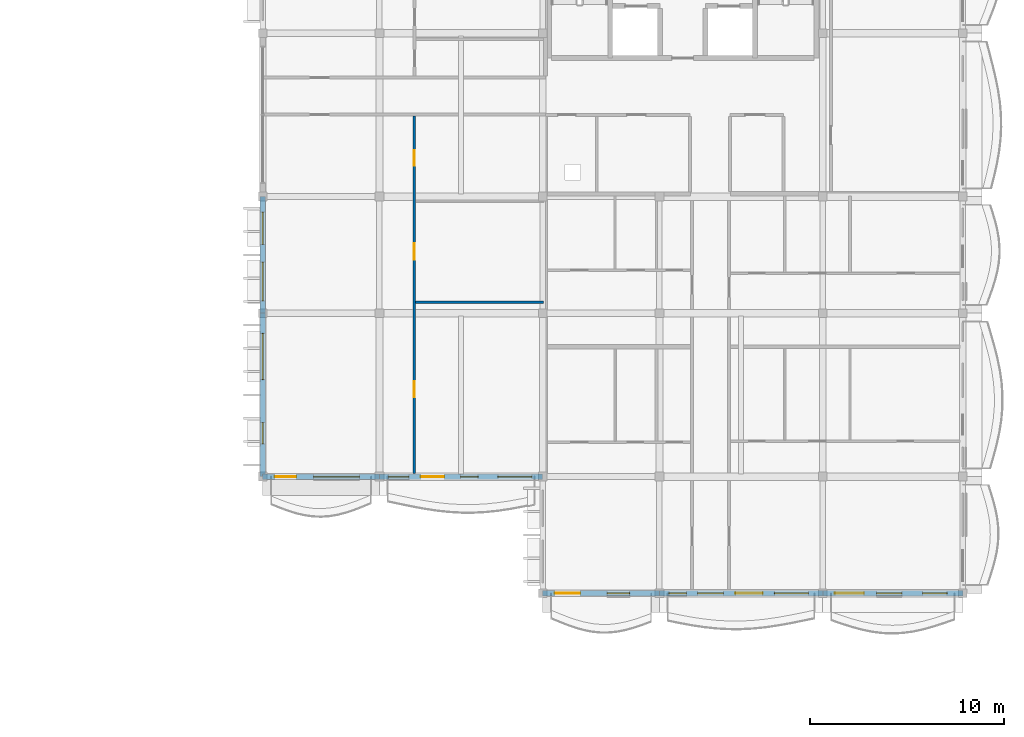
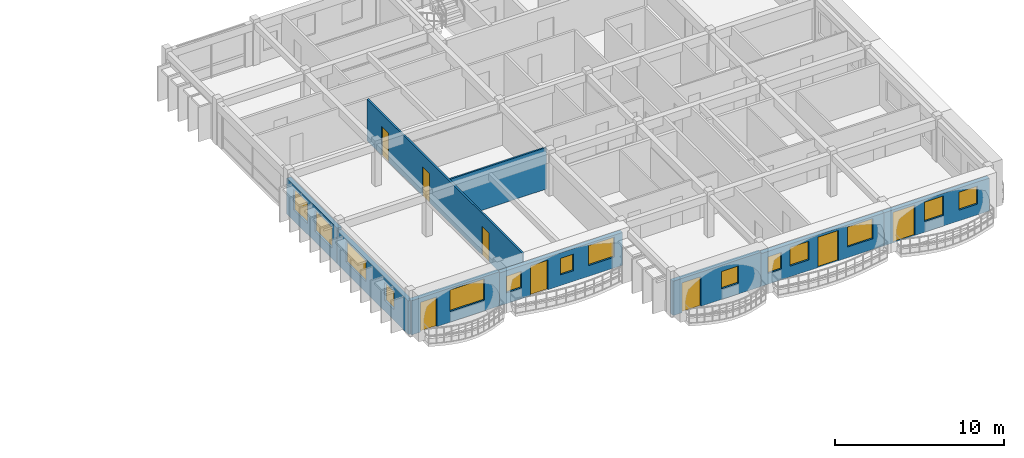
# One storey, part 39 of 76: 14 windows, 9 walls, 8 doors, 22 openings.
"""IFC4 building model written with IfcOpenShell, lengths in metres."""

from ifc_helpers import new_model, si_unit, direction, frame, frame_2d, origin, place, context, subcontext, project, spatial, rectangle, extrude, material, layer, layer_set, type_object, element, fill, save


model = new_model("IFC4")

# Units and contexts
model_context = context("Model", 3, precision=1e-05, world=origin(), true_north=direction((0.0, 1.0)))
body_context = subcontext(model_context, "Body", "Model", "MODEL_VIEW")
ifc_project = project(units=[si_unit("LENGTHUNIT", "METRE"), si_unit("AREAUNIT", "SQUARE_METRE"), si_unit("VOLUMEUNIT", "CUBIC_METRE"), si_unit("PLANEANGLEUNIT", "RADIAN"), si_unit("MASSUNIT", "GRAM", prefix="KILO"), si_unit("THERMODYNAMICTEMPERATUREUNIT", "KELVIN")], contexts=[model_context])

# Site, building, storey
site_placement = place(None, origin())
site = spatial("IfcSite", under=ifc_project, at=site_placement, CompositionType="ELEMENT")
building_placement = place(site_placement, origin())
building = spatial("IfcBuilding", under=site, at=building_placement, Name="Thalorik Housing Commons", CompositionType="ELEMENT")
storey_placement = place(building_placement, frame((0.0, 0.0, 18.0)))
storey = spatial("IfcBuildingStorey", under=building, at=storey_placement, Name="L05", CompositionType="ELEMENT", Elevation=18.0)

# Wall, openings, windows
ifc_material_1 = material(Name="White precast concrete C40/50", Category="concrete")
ifc_layer_1 = layer(ifc_material_1, 0.2900390625, Name="White precast concrete C40/50", Category="concrete")
ifc_layer_set_1 = layer_set([ifc_layer_1], Name="White precast concrete C40/50")
wall_type_1 = type_object("IfcWallType", Name="ARC-WAL-EXT-290", PredefinedType="STANDARD", material=ifc_layer_set_1)
wall_1_placement = place(storey_placement, frame((138.0, 57.60009765625, 0.0), z_axis=(0.0, 0.0, 1.0), x_axis=(0.0, -1.0, 0.0)))
wall_1 = element("IfcWall", 1, at=wall_1_placement, inside=storey, type_object=wall_type_1, Name="L05 Exterior Wall WAL-EXT-L05-D-1209", PredefinedType="STANDARD", context=body_context, shape_type="SweptSolid", body=[
    extrude(rectangle(XDim=6.0, YDim=0.2900390625, at=frame_2d((3.0, 0.0))), origin(), (0.0, 0.0, 1.0), 2.574951171875),
])
opening_1_placement = place(wall_1_placement, frame((0.804931640625, 0.0, 0.780029296875)))
opening_1 = element("IfcOpeningElement", 2, at=opening_1_placement, cuts=wall_1, Name="Opening W-15", PredefinedType="OPENING", context=body_context, shape_type="SweptSolid", body=[
    extrude(rectangle(XDim=1.64990234375, YDim=1.5, at=frame_2d((0.824951171875, 0.75))), frame((0.0, 0.155029296875, 0.0), z_axis=(0.0, -1.0, 0.0), x_axis=(1.0, 0.0, 0.0)), (0.0, 0.0, 1.0), 0.31005859375),
])
opening_2_placement = place(wall_1_placement, frame((3.3701171875, 0.0, 0.780029296875)))
opening_2 = element("IfcOpeningElement", 3, at=opening_2_placement, cuts=wall_1, Name="Opening W-23", PredefinedType="OPENING", context=body_context, shape_type="SweptSolid", body=[
    extrude(rectangle(XDim=2.0, YDim=1.5, at=frame_2d((1.0, 0.75))), frame((0.0, 0.155029296875, 0.0), z_axis=(0.0, -1.0, 0.0), x_axis=(1.0, 0.0, 0.0)), (0.0, 0.0, 1.0), 0.31005859375),
])
ifc_material_2 = material(Name="Anodised aluminium and solar-control low-E glass", Category="aluminium")
window_type_1 = type_object("IfcWindowType", Name="ARC-WIN-15", PartitioningType="DOUBLE_PANEL_VERTICAL", PredefinedType="WINDOW", material=ifc_material_2)
window_1_placement = place(opening_1_placement, origin())
window_1 = element("IfcWindow", 4, at=window_1_placement, inside=storey, type_object=window_type_1, Name="L05 Facade Window 2206", OverallHeight=1.5, OverallWidth=1.64990234375, PartitioningType="DOUBLE_PANEL_VERTICAL", PredefinedType="WINDOW", context=body_context, shape_type="SweptSolid", body=[
    extrude(rectangle(XDim=1.64990234375, YDim=1.5, at=frame_2d((0.824951171875, 0.75))), frame((0.0, 0.030029296875, 0.0), z_axis=(0.0, -1.0, 0.0), x_axis=(1.0, 0.0, 0.0)), (0.0, 0.0, 1.0), 0.06005859375),
])
fill(opening_1, window_1)
window_type_2 = type_object("IfcWindowType", Name="ARC-WIN-23", PartitioningType="DOUBLE_PANEL_VERTICAL", PredefinedType="WINDOW", material=ifc_material_2)
window_2_placement = place(opening_2_placement, origin())
window_2 = element("IfcWindow", 5, at=window_2_placement, inside=storey, type_object=window_type_2, Name="L05 Facade Window 2207", OverallHeight=1.5, OverallWidth=2.0, PartitioningType="DOUBLE_PANEL_VERTICAL", PredefinedType="WINDOW", context=body_context, shape_type="SweptSolid", body=[
    extrude(rectangle(XDim=2.0, YDim=1.5, at=frame_2d((1.0, 0.75))), frame((0.0, 0.030029296875, 0.0), z_axis=(0.0, -1.0, 0.0), x_axis=(1.0, 0.0, 0.0)), (0.0, 0.0, 1.0), 0.06005859375),
])
fill(opening_2, window_2)

wall_2_placement = place(storey_placement, frame((138.0, 51.60009765625, 0.0), z_axis=(0.0, 0.0, 1.0), x_axis=(0.0, -1.0, 0.0)))
wall_2 = element("IfcWall", 6, at=wall_2_placement, inside=storey, type_object=wall_type_1, Name="L05 Exterior Wall WAL-EXT-L05-D-1210", PredefinedType="STANDARD", context=body_context, shape_type="SweptSolid", body=[
    extrude(rectangle(XDim=8.400146484375, YDim=0.2900390625, at=frame_2d((4.2001953125, 0.0))), origin(), (0.0, 0.0, 1.0), 2.425048828125),
])
opening_3_placement = place(wall_2_placement, frame((1.0400390625, 0.0, 0.780029296875)))
opening_3 = element("IfcOpeningElement", 7, at=opening_3_placement, cuts=wall_2, Name="Opening W-69", PredefinedType="OPENING", context=body_context, shape_type="SweptSolid", body=[
    extrude(rectangle(XDim=2.3798828125, YDim=1.47998046875, at=frame_2d((1.18994140625, 0.739990234375))), frame((0.0, 0.155029296875, 0.0), z_axis=(0.0, -1.0, 0.0), x_axis=(1.0, 0.0, 0.0)), (0.0, 0.0, 1.0), 0.31005859375),
])
opening_4_placement = place(wall_2_placement, frame((5.6201171875, 0.0, 0.780029296875)))
opening_4 = element("IfcOpeningElement", 8, at=opening_4_placement, cuts=wall_2, Name="Opening W-03", PredefinedType="OPENING", context=body_context, shape_type="SweptSolid", body=[
    extrude(rectangle(XDim=1.10009765625, YDim=1.300048828125, at=frame_2d((0.550048828125, 0.64990234375))), frame((0.0, 0.155029296875, 0.0), z_axis=(0.0, -1.0, 0.0), x_axis=(1.0, 0.0, 0.0)), (0.0, 0.0, 1.0), 0.31005859375),
])
window_type_3 = type_object("IfcWindowType", Name="ARC-WIN-03", PartitioningType="SINGLE_PANEL", PredefinedType="WINDOW", material=ifc_material_2)
window_3_placement = place(opening_4_placement, origin())
window_3 = element("IfcWindow", 9, at=window_3_placement, inside=storey, type_object=window_type_3, Name="L05 Facade Window 2209", OverallHeight=1.300048828125, OverallWidth=1.10009765625, PartitioningType="SINGLE_PANEL", PredefinedType="WINDOW", context=body_context, shape_type="SweptSolid", body=[
    extrude(rectangle(XDim=1.10009765625, YDim=1.300048828125, at=frame_2d((0.550048828125, 0.64990234375))), frame((0.0, 0.030029296875, 0.0), z_axis=(0.0, -1.0, 0.0), x_axis=(1.0, 0.0, 0.0)), (0.0, 0.0, 1.0), 0.06005859375),
])
fill(opening_4, window_3)
window_type_4 = type_object("IfcWindowType", Name="ARC-WIN-69", PartitioningType="DOUBLE_PANEL_VERTICAL", PredefinedType="WINDOW", material=ifc_material_2)
window_4_placement = place(opening_3_placement, origin())
window_4 = element("IfcWindow", 10, at=window_4_placement, inside=storey, type_object=window_type_4, Name="L05 Facade Window 2208", OverallHeight=1.47998046875, OverallWidth=2.3798828125, PartitioningType="DOUBLE_PANEL_VERTICAL", PredefinedType="WINDOW", context=body_context, shape_type="SweptSolid", body=[
    extrude(rectangle(XDim=2.3798828125, YDim=1.47998046875, at=frame_2d((1.18994140625, 0.739990234375))), frame((0.0, 0.030029296875, 0.0), z_axis=(0.0, -1.0, 0.0), x_axis=(1.0, 0.0, 0.0)), (0.0, 0.0, 1.0), 0.06005859375),
])
fill(opening_3, window_4)

# Wall, openings, door, window
wall_3_placement = place(storey_placement, frame((138.0, 43.199951171875, 0.0), z_axis=(0.0, 0.0, 1.0), x_axis=(1.0, 0.0, 0.0)))
wall_3 = element("IfcWall", 11, at=wall_3_placement, inside=storey, type_object=wall_type_1, Name="L05 Exterior Wall WAL-EXT-L05-D-1211", PredefinedType="STANDARD", context=body_context, shape_type="SweptSolid", body=[
    extrude(rectangle(XDim=6.0, YDim=0.2900390625, at=frame_2d((3.0, 0.0))), origin(), (0.0, 0.0, 1.0), 2.47509765625),
])
opening_5_placement = place(wall_3_placement, frame((0.6201171875, 0.0, 0.0)))
opening_5 = element("IfcOpeningElement", 12, at=opening_5_placement, cuts=wall_3, Name="Opening ED-0406", PredefinedType="OPENING", context=body_context, shape_type="SweptSolid", body=[
    extrude(rectangle(XDim=1.10009765625, YDim=2.14990234375, at=frame_2d((0.550048828125, 1.074951171875))), frame((0.0, 0.155029296875, 0.0), z_axis=(0.0, -1.0, 0.0), x_axis=(1.0, 0.0, 0.0)), (0.0, 0.0, 1.0), 0.31005859375),
])
opening_6_placement = place(wall_3_placement, frame((2.614990234375, 0.0, 0.780029296875)))
opening_6 = element("IfcOpeningElement", 13, at=opening_6_placement, cuts=wall_3, Name="Opening W-33", PredefinedType="OPENING", context=body_context, shape_type="SweptSolid", body=[
    extrude(rectangle(XDim=2.35009765625, YDim=1.550048828125, at=frame_2d((1.175048828125, 0.77490234375))), frame((0.0, 0.155029296875, 0.0), z_axis=(0.0, -1.0, 0.0), x_axis=(1.0, 0.0, 0.0)), (0.0, 0.0, 1.0), 0.31005859375),
])
ifc_material_3 = material(Name="Anodised aluminium and laminated safety glass", Category="aluminium")
door_type_1 = type_object("IfcDoorType", Name="ARC-DR-BAL-1100", OperationType="NOTDEFINED", PredefinedType="DOOR", material=ifc_material_3)
door_1_placement = place(opening_5_placement, frame((1.10009765625, 0.0, 0.0), z_axis=(0.0, 0.0, 1.0), x_axis=(-1.0, 0.0, 0.0)))
door_1 = element("IfcDoor", 14, at=door_1_placement, inside=storey, type_object=door_type_1, Name="L05 Block D Balcony Glazed Door", OperationType="SINGLE_SWING_LEFT", OverallHeight=2.14990234375, OverallWidth=1.10009765625, PredefinedType="DOOR", context=body_context, shape_type="SweptSolid", body=[
    extrude(rectangle(XDim=1.10009765625, YDim=2.14990234375, at=frame_2d((0.550048828125, 1.074951171875))), frame((0.0, 0.02490234375, 0.0), z_axis=(0.0, -1.0, 0.0), x_axis=(1.0, 0.0, 0.0)), (0.0, 0.0, 1.0), 0.050048828125),
])
fill(opening_5, door_1)
window_type_5 = type_object("IfcWindowType", Name="ARC-WIN-33", PartitioningType="DOUBLE_PANEL_VERTICAL", PredefinedType="WINDOW", material=ifc_material_2)
window_5_placement = place(opening_6_placement, origin())
window_5 = element("IfcWindow", 15, at=window_5_placement, inside=storey, type_object=window_type_5, Name="L05 Facade Window 2210", OverallHeight=1.550048828125, OverallWidth=2.35009765625, PartitioningType="DOUBLE_PANEL_VERTICAL", PredefinedType="WINDOW", context=body_context, shape_type="SweptSolid", body=[
    extrude(rectangle(XDim=2.35009765625, YDim=1.550048828125, at=frame_2d((1.175048828125, 0.77490234375))), frame((0.0, 0.030029296875, 0.0), z_axis=(0.0, -1.0, 0.0), x_axis=(1.0, 0.0, 0.0)), (0.0, 0.0, 1.0), 0.06005859375),
])
fill(opening_6, window_5)

# Wall, openings, door, windows
wall_4_placement = place(storey_placement, frame((144.0, 43.199951171875, 0.0), z_axis=(0.0, 0.0, 1.0), x_axis=(1.0, 0.0, 0.0)))
wall_4 = element("IfcWall", 16, at=wall_4_placement, inside=storey, type_object=wall_type_1, Name="L05 Exterior Wall WAL-EXT-L05-D-1212", PredefinedType="STANDARD", context=body_context, shape_type="SweptSolid", body=[
    extrude(rectangle(XDim=8.39990234375, YDim=0.2900390625, at=frame_2d((4.199951171875, 0.0))), origin(), (0.0, 0.0, 1.0), 2.375),
])
opening_7_placement = place(wall_4_placement, frame((2.1298828125, 0.0, 0.0)))
opening_7 = element("IfcOpeningElement", 17, at=opening_7_placement, cuts=wall_4, Name="Opening ED-0407", PredefinedType="OPENING", context=body_context, shape_type="SweptSolid", body=[
    extrude(rectangle(XDim=1.199951171875, YDim=2.14990234375, at=frame_2d((0.60009765625, 1.074951171875))), frame((0.0, 0.155029296875, 0.0), z_axis=(0.0, -1.0, 0.0), x_axis=(1.0, 0.0, 0.0)), (0.0, 0.0, 1.0), 0.31005859375),
])
opening_8_placement = place(wall_4_placement, frame((0.469970703125, 0.0, 0.780029296875)))
opening_8 = element("IfcOpeningElement", 18, at=opening_8_placement, cuts=wall_4, Name="Opening W-44", PredefinedType="OPENING", context=body_context, shape_type="SweptSolid", body=[
    extrude(rectangle(XDim=1.050048828125, YDim=1.199951171875, at=frame_2d((0.52490234375, 0.60009765625))), frame((0.0, 0.155029296875, 0.0), z_axis=(0.0, -1.0, 0.0), x_axis=(1.0, 0.0, 0.0)), (0.0, 0.0, 1.0), 0.31005859375),
])
opening_9_placement = place(wall_4_placement, frame((4.172607421875, 0.0, 0.780029296875)))
opening_9 = element("IfcOpeningElement", 19, at=opening_9_placement, cuts=wall_4, Name="Opening W-01", PredefinedType="OPENING", context=body_context, shape_type="SweptSolid", body=[
    extrude(rectangle(XDim=0.89990234375, YDim=1.199951171875, at=frame_2d((0.449951171875, 0.60009765625))), frame((0.0, 0.155029296875, 0.0), z_axis=(0.0, -1.0, 0.0), x_axis=(1.0, 0.0, 0.0)), (0.0, 0.0, 1.0), 0.31005859375),
])
opening_10_placement = place(wall_4_placement, frame((6.092529296875, 0.0, 0.780029296875)))
opening_10 = element("IfcOpeningElement", 20, at=opening_10_placement, cuts=wall_4, Name="Opening W-17", PredefinedType="OPENING", context=body_context, shape_type="SweptSolid", body=[
    extrude(rectangle(XDim=1.75, YDim=1.449951171875, at=frame_2d((0.875, 0.72509765625))), frame((0.0, 0.155029296875, 0.0), z_axis=(0.0, -1.0, 0.0), x_axis=(1.0, 0.0, 0.0)), (0.0, 0.0, 1.0), 0.31005859375),
])
door_type_2 = type_object("IfcDoorType", Name="ARC-DR-BAL-1200", OperationType="NOTDEFINED", PredefinedType="DOOR", material=ifc_material_3)
door_2_placement = place(opening_7_placement, frame((1.199951171875, 0.0, 0.0), z_axis=(0.0, 0.0, 1.0), x_axis=(-1.0, 0.0, 0.0)))
door_2 = element("IfcDoor", 21, at=door_2_placement, inside=storey, type_object=door_type_2, Name="L05 Block D Balcony Glazed Door", OperationType="SINGLE_SWING_RIGHT", OverallHeight=2.14990234375, OverallWidth=1.199951171875, PredefinedType="DOOR", context=body_context, shape_type="SweptSolid", body=[
    extrude(rectangle(XDim=1.199951171875, YDim=2.14990234375, at=frame_2d((0.60009765625, 1.074951171875))), frame((0.0, 0.02490234375, 0.0), z_axis=(0.0, -1.0, 0.0), x_axis=(1.0, 0.0, 0.0)), (0.0, 0.0, 1.0), 0.050048828125),
])
fill(opening_7, door_2)
window_type_6 = type_object("IfcWindowType", Name="ARC-WIN-01", PartitioningType="SINGLE_PANEL", PredefinedType="WINDOW", material=ifc_material_2)
window_6_placement = place(opening_9_placement, origin())
window_6 = element("IfcWindow", 22, at=window_6_placement, inside=storey, type_object=window_type_6, Name="L05 Facade Window 2212", OverallHeight=1.199951171875, OverallWidth=0.89990234375, PartitioningType="SINGLE_PANEL", PredefinedType="WINDOW", context=body_context, shape_type="SweptSolid", body=[
    extrude(rectangle(XDim=0.89990234375, YDim=1.199951171875, at=frame_2d((0.449951171875, 0.60009765625))), frame((0.0, 0.030029296875, 0.0), z_axis=(0.0, -1.0, 0.0), x_axis=(1.0, 0.0, 0.0)), (0.0, 0.0, 1.0), 0.06005859375),
])
fill(opening_9, window_6)
window_type_7 = type_object("IfcWindowType", Name="ARC-WIN-17", PartitioningType="DOUBLE_PANEL_VERTICAL", PredefinedType="WINDOW", material=ifc_material_2)
window_7_placement = place(opening_10_placement, origin())
window_7 = element("IfcWindow", 23, at=window_7_placement, inside=storey, type_object=window_type_7, Name="L05 Facade Window 2213", OverallHeight=1.449951171875, OverallWidth=1.75, PartitioningType="DOUBLE_PANEL_VERTICAL", PredefinedType="WINDOW", context=body_context, shape_type="SweptSolid", body=[
    extrude(rectangle(XDim=1.75, YDim=1.449951171875, at=frame_2d((0.875, 0.72509765625))), frame((0.0, 0.030029296875, 0.0), z_axis=(0.0, -1.0, 0.0), x_axis=(1.0, 0.0, 0.0)), (0.0, 0.0, 1.0), 0.06005859375),
])
fill(opening_10, window_7)
window_type_8 = type_object("IfcWindowType", Name="ARC-WIN-44", PartitioningType="SINGLE_PANEL", PredefinedType="WINDOW", material=ifc_material_2)
window_8_placement = place(opening_8_placement, origin())
window_8 = element("IfcWindow", 24, at=window_8_placement, inside=storey, type_object=window_type_8, Name="L05 Facade Window 2211", OverallHeight=1.199951171875, OverallWidth=1.050048828125, PartitioningType="SINGLE_PANEL", PredefinedType="WINDOW", context=body_context, shape_type="SweptSolid", body=[
    extrude(rectangle(XDim=1.050048828125, YDim=1.199951171875, at=frame_2d((0.52490234375, 0.60009765625))), frame((0.0, 0.030029296875, 0.0), z_axis=(0.0, -1.0, 0.0), x_axis=(1.0, 0.0, 0.0)), (0.0, 0.0, 1.0), 0.06005859375),
])
fill(opening_8, window_8)

# Wall, openings, door, window
wall_5_placement = place(storey_placement, frame((152.39990234375, 37.199951171875, 0.0), z_axis=(0.0, 0.0, 1.0), x_axis=(1.0, 0.0, 0.0)))
wall_5 = element("IfcWall", 25, at=wall_5_placement, inside=storey, type_object=wall_type_1, Name="L05 Exterior Wall WAL-EXT-L05-D-1214", PredefinedType="STANDARD", context=body_context, shape_type="SweptSolid", body=[
    extrude(rectangle(XDim=6.0, YDim=0.2900390625, at=frame_2d((3.0, 0.0))), origin(), (0.0, 0.0, 1.0), 2.47509765625),
])
opening_11_placement = place(wall_5_placement, frame((0.6201171875, 0.0, 0.0)))
opening_11 = element("IfcOpeningElement", 26, at=opening_11_placement, cuts=wall_5, Name="Opening ED-0408", PredefinedType="OPENING", context=body_context, shape_type="SweptSolid", body=[
    extrude(rectangle(XDim=1.300048828125, YDim=2.14990234375, at=frame_2d((0.64990234375, 1.074951171875))), frame((0.0, 0.155029296875, 0.0), z_axis=(0.0, -1.0, 0.0), x_axis=(1.0, 0.0, 0.0)), (0.0, 0.0, 1.0), 0.31005859375),
])
opening_12_placement = place(wall_5_placement, frame((3.31494140625, 0.0, 0.780029296875)))
opening_12 = element("IfcOpeningElement", 27, at=opening_12_placement, cuts=wall_5, Name="Opening W-45", PredefinedType="OPENING", context=body_context, shape_type="SweptSolid", body=[
    extrude(rectangle(XDim=1.14990234375, YDim=1.25, at=frame_2d((0.574951171875, 0.625))), frame((0.0, 0.155029296875, 0.0), z_axis=(0.0, -1.0, 0.0), x_axis=(1.0, 0.0, 0.0)), (0.0, 0.0, 1.0), 0.31005859375),
])
door_type_3 = type_object("IfcDoorType", Name="ARC-DR-BAL-1300", OperationType="NOTDEFINED", PredefinedType="DOOR", material=ifc_material_3)
door_3_placement = place(opening_11_placement, frame((1.300048828125, 0.0, 0.0), z_axis=(0.0, 0.0, 1.0), x_axis=(-1.0, 0.0, 0.0)))
door_3 = element("IfcDoor", 28, at=door_3_placement, inside=storey, type_object=door_type_3, Name="L05 Block D Balcony Glazed Door", OperationType="SINGLE_SWING_LEFT", OverallHeight=2.14990234375, OverallWidth=1.300048828125, PredefinedType="DOOR", context=body_context, shape_type="SweptSolid", body=[
    extrude(rectangle(XDim=1.300048828125, YDim=2.14990234375, at=frame_2d((0.64990234375, 1.074951171875))), frame((0.0, 0.02490234375, 0.0), z_axis=(0.0, -1.0, 0.0), x_axis=(1.0, 0.0, 0.0)), (0.0, 0.0, 1.0), 0.050048828125),
])
fill(opening_11, door_3)
window_type_9 = type_object("IfcWindowType", Name="ARC-WIN-45", PartitioningType="SINGLE_PANEL", PredefinedType="WINDOW", material=ifc_material_2)
window_9_placement = place(opening_12_placement, origin())
window_9 = element("IfcWindow", 29, at=window_9_placement, inside=storey, type_object=window_type_9, Name="L05 Facade Window 2216", OverallHeight=1.25, OverallWidth=1.14990234375, PartitioningType="SINGLE_PANEL", PredefinedType="WINDOW", context=body_context, shape_type="SweptSolid", body=[
    extrude(rectangle(XDim=1.14990234375, YDim=1.25, at=frame_2d((0.574951171875, 0.625))), frame((0.0, 0.030029296875, 0.0), z_axis=(0.0, -1.0, 0.0), x_axis=(1.0, 0.0, 0.0)), (0.0, 0.0, 1.0), 0.06005859375),
])
fill(opening_12, window_9)

# Wall, openings, door, windows
wall_6_placement = place(storey_placement, frame((158.39990234375, 37.199951171875, 0.0), z_axis=(0.0, 0.0, 1.0), x_axis=(1.0, 0.0, 0.0)))
wall_6 = element("IfcWall", 30, at=wall_6_placement, inside=storey, type_object=wall_type_1, Name="L05 Exterior Wall WAL-EXT-L05-D-1215", PredefinedType="STANDARD", context=body_context, shape_type="SweptSolid", body=[
    extrude(rectangle(XDim=8.400146484375, YDim=0.2900390625, at=frame_2d((4.2001953125, 0.0))), origin(), (0.0, 0.0, 1.0), 2.375),
])
opening_13_placement = place(wall_6_placement, frame((3.909912109375, 0.0, 0.0)))
opening_13 = element("IfcOpeningElement", 31, at=opening_13_placement, cuts=wall_6, Name="Opening ED-0409", PredefinedType="OPENING", context=body_context, shape_type="SweptSolid", body=[
    extrude(rectangle(XDim=1.39990234375, YDim=2.199951171875, at=frame_2d((0.699951171875, 1.10009765625))), frame((0.0, 0.155029296875, 0.0), z_axis=(0.0, -1.0, 0.0), x_axis=(1.0, 0.0, 0.0)), (0.0, 0.0, 1.0), 0.31005859375),
])
opening_14_placement = place(wall_6_placement, frame((0.485107421875, 0.0, 0.780029296875)))
opening_14 = element("IfcOpeningElement", 32, at=opening_14_placement, cuts=wall_6, Name="Opening W-01", PredefinedType="OPENING", context=body_context, shape_type="SweptSolid", body=[
    extrude(rectangle(XDim=0.89990234375, YDim=1.199951171875, at=frame_2d((0.449951171875, 0.60009765625))), frame((0.0, 0.155029296875, 0.0), z_axis=(0.0, -1.0, 0.0), x_axis=(1.0, 0.0, 0.0)), (0.0, 0.0, 1.0), 0.31005859375),
])
opening_15_placement = place(wall_6_placement, frame((1.969970703125, 0.0, 0.780029296875)))
opening_15 = element("IfcOpeningElement", 33, at=opening_15_placement, cuts=wall_6, Name="Opening W-48", PredefinedType="OPENING", context=body_context, shape_type="SweptSolid", body=[
    extrude(rectangle(XDim=1.320068359375, YDim=1.35009765625, at=frame_2d((0.66015625, 0.675048828125))), frame((0.0, 0.155029296875, 0.0), z_axis=(0.0, -1.0, 0.0), x_axis=(1.0, 0.0, 0.0)), (0.0, 0.0, 1.0), 0.31005859375),
])
opening_16_placement = place(wall_6_placement, frame((5.909912109375, 0.0, 0.780029296875)))
opening_16 = element("IfcOpeningElement", 34, at=opening_16_placement, cuts=wall_6, Name="Opening W-17", PredefinedType="OPENING", context=body_context, shape_type="SweptSolid", body=[
    extrude(rectangle(XDim=1.75, YDim=1.449951171875, at=frame_2d((0.875, 0.72509765625))), frame((0.0, 0.155029296875, 0.0), z_axis=(0.0, -1.0, 0.0), x_axis=(1.0, 0.0, 0.0)), (0.0, 0.0, 1.0), 0.31005859375),
])
door_type_4 = type_object("IfcDoorType", Name="ARC-DR-BAL-1400", OperationType="NOTDEFINED", PredefinedType="DOOR", material=ifc_material_3)
door_4_placement = place(opening_13_placement, frame((1.39990234375, 0.0, 0.0), z_axis=(0.0, 0.0, 1.0), x_axis=(-1.0, 0.0, 0.0)))
door_4 = element("IfcDoor", 35, at=door_4_placement, inside=storey, type_object=door_type_4, Name="L05 Block D Balcony Glazed Door", OperationType="SLIDING_TO_LEFT", OverallHeight=2.199951171875, OverallWidth=1.39990234375, PredefinedType="DOOR", context=body_context, shape_type="SweptSolid", body=[
    extrude(rectangle(XDim=1.39990234375, YDim=2.199951171875, at=frame_2d((0.699951171875, 1.10009765625))), frame((0.0, 0.02490234375, 0.0), z_axis=(0.0, -1.0, 0.0), x_axis=(1.0, 0.0, 0.0)), (0.0, 0.0, 1.0), 0.050048828125),
])
fill(opening_13, door_4)
window_10_placement = place(opening_14_placement, origin())
window_10 = element("IfcWindow", 36, at=window_10_placement, inside=storey, type_object=window_type_6, Name="L05 Facade Window 2217", OverallHeight=1.199951171875, OverallWidth=0.89990234375, PartitioningType="SINGLE_PANEL", PredefinedType="WINDOW", context=body_context, shape_type="SweptSolid", body=[
    extrude(rectangle(XDim=0.89990234375, YDim=1.199951171875, at=frame_2d((0.449951171875, 0.60009765625))), frame((0.0, 0.030029296875, 0.0), z_axis=(0.0, -1.0, 0.0), x_axis=(1.0, 0.0, 0.0)), (0.0, 0.0, 1.0), 0.06005859375),
])
fill(opening_14, window_10)
window_11_placement = place(opening_16_placement, origin())
window_11 = element("IfcWindow", 37, at=window_11_placement, inside=storey, type_object=window_type_7, Name="L05 Facade Window 2219", OverallHeight=1.449951171875, OverallWidth=1.75, PartitioningType="DOUBLE_PANEL_VERTICAL", PredefinedType="WINDOW", context=body_context, shape_type="SweptSolid", body=[
    extrude(rectangle(XDim=1.75, YDim=1.449951171875, at=frame_2d((0.875, 0.72509765625))), frame((0.0, 0.030029296875, 0.0), z_axis=(0.0, -1.0, 0.0), x_axis=(1.0, 0.0, 0.0)), (0.0, 0.0, 1.0), 0.06005859375),
])
fill(opening_16, window_11)
window_type_10 = type_object("IfcWindowType", Name="ARC-WIN-48", PartitioningType="SINGLE_PANEL", PredefinedType="WINDOW", material=ifc_material_2)
window_12_placement = place(opening_15_placement, origin())
window_12 = element("IfcWindow", 38, at=window_12_placement, inside=storey, type_object=window_type_10, Name="L05 Facade Window 2218", OverallHeight=1.35009765625, OverallWidth=1.320068359375, PartitioningType="SINGLE_PANEL", PredefinedType="WINDOW", context=body_context, shape_type="SweptSolid", body=[
    extrude(rectangle(XDim=1.320068359375, YDim=1.35009765625, at=frame_2d((0.66015625, 0.675048828125))), frame((0.0, 0.030029296875, 0.0), z_axis=(0.0, -1.0, 0.0), x_axis=(1.0, 0.0, 0.0)), (0.0, 0.0, 1.0), 0.06005859375),
])
fill(opening_15, window_12)

wall_7_placement = place(storey_placement, frame((166.800048828125, 37.199951171875, 0.0), z_axis=(0.0, 0.0, 1.0), x_axis=(1.0, 0.0, 0.0)))
wall_7 = element("IfcWall", 39, at=wall_7_placement, inside=storey, type_object=wall_type_1, Name="L05 Exterior Wall WAL-EXT-L05-D-1216", PredefinedType="STANDARD", context=body_context, shape_type="SweptSolid", body=[
    extrude(rectangle(XDim=7.199951171875, YDim=0.2900390625, at=frame_2d((3.60009765625, 0.0))), origin(), (0.0, 0.0, 1.0), 2.375),
])
opening_17_placement = place(wall_7_placement, frame((0.6201171875, 0.0, 0.0)))
opening_17 = element("IfcOpeningElement", 40, at=opening_17_placement, cuts=wall_7, Name="Opening ED-0410", PredefinedType="OPENING", context=body_context, shape_type="SweptSolid", body=[
    extrude(rectangle(XDim=1.5, YDim=2.199951171875, at=frame_2d((0.75, 1.10009765625))), frame((0.0, 0.155029296875, 0.0), z_axis=(0.0, -1.0, 0.0), x_axis=(1.0, 0.0, 0.0)), (0.0, 0.0, 1.0), 0.31005859375),
])
opening_18_placement = place(wall_7_placement, frame((2.764892578125, 0.0, 0.780029296875)))
opening_18 = element("IfcOpeningElement", 41, at=opening_18_placement, cuts=wall_7, Name="Opening W-06", PredefinedType="OPENING", context=body_context, shape_type="SweptSolid", body=[
    extrude(rectangle(XDim=1.300048828125, YDim=1.39990234375, at=frame_2d((0.64990234375, 0.699951171875))), frame((0.0, 0.155029296875, 0.0), z_axis=(0.0, -1.0, 0.0), x_axis=(1.0, 0.0, 0.0)), (0.0, 0.0, 1.0), 0.31005859375),
])
opening_19_placement = place(wall_7_placement, frame((5.139892578125, 0.0, 0.780029296875)))
opening_19 = element("IfcOpeningElement", 42, at=opening_19_placement, cuts=wall_7, Name="Opening W-46", PredefinedType="OPENING", context=body_context, shape_type="SweptSolid", body=[
    extrude(rectangle(XDim=1.25, YDim=1.300048828125, at=frame_2d((0.625, 0.64990234375))), frame((0.0, 0.155029296875, 0.0), z_axis=(0.0, -1.0, 0.0), x_axis=(1.0, 0.0, 0.0)), (0.0, 0.0, 1.0), 0.31005859375),
])
door_type_5 = type_object("IfcDoorType", Name="ARC-DR-BAL-1500", OperationType="NOTDEFINED", PredefinedType="DOOR", material=ifc_material_3)
door_5_placement = place(opening_17_placement, frame((1.5, 0.0, 0.0), z_axis=(0.0, 0.0, 1.0), x_axis=(-1.0, 0.0, 0.0)))
door_5 = element("IfcDoor", 43, at=door_5_placement, inside=storey, type_object=door_type_5, Name="L05 Block D Balcony Glazed Door", OperationType="SLIDING_TO_RIGHT", OverallHeight=2.199951171875, OverallWidth=1.5, PredefinedType="DOOR", context=body_context, shape_type="SweptSolid", body=[
    extrude(rectangle(XDim=1.5, YDim=2.199951171875, at=frame_2d((0.75, 1.10009765625))), frame((0.0, 0.02490234375, 0.0), z_axis=(0.0, -1.0, 0.0), x_axis=(1.0, 0.0, 0.0)), (0.0, 0.0, 1.0), 0.050048828125),
])
fill(opening_17, door_5)
window_type_11 = type_object("IfcWindowType", Name="ARC-WIN-06", PartitioningType="SINGLE_PANEL", PredefinedType="WINDOW", material=ifc_material_2)
window_13_placement = place(opening_18_placement, origin())
window_13 = element("IfcWindow", 44, at=window_13_placement, inside=storey, type_object=window_type_11, Name="L05 Facade Window 2220", OverallHeight=1.39990234375, OverallWidth=1.300048828125, PartitioningType="SINGLE_PANEL", PredefinedType="WINDOW", context=body_context, shape_type="SweptSolid", body=[
    extrude(rectangle(XDim=1.300048828125, YDim=1.39990234375, at=frame_2d((0.64990234375, 0.699951171875))), frame((0.0, 0.030029296875, 0.0), z_axis=(0.0, -1.0, 0.0), x_axis=(1.0, 0.0, 0.0)), (0.0, 0.0, 1.0), 0.06005859375),
])
fill(opening_18, window_13)
window_type_12 = type_object("IfcWindowType", Name="ARC-WIN-46", PartitioningType="SINGLE_PANEL", PredefinedType="WINDOW", material=ifc_material_2)
window_14_placement = place(opening_19_placement, origin())
window_14 = element("IfcWindow", 45, at=window_14_placement, inside=storey, type_object=window_type_12, Name="L05 Facade Window 2221", OverallHeight=1.300048828125, OverallWidth=1.25, PartitioningType="SINGLE_PANEL", PredefinedType="WINDOW", context=body_context, shape_type="SweptSolid", body=[
    extrude(rectangle(XDim=1.25, YDim=1.300048828125, at=frame_2d((0.625, 0.64990234375))), frame((0.0, 0.030029296875, 0.0), z_axis=(0.0, -1.0, 0.0), x_axis=(1.0, 0.0, 0.0)), (0.0, 0.0, 1.0), 0.06005859375),
])
fill(opening_19, window_14)

# Wall
ifc_material_4 = material(Name="Gypsum moisture-resistant partition", Category="masonry")
ifc_layer_2 = layer(ifc_material_4, 0.114990234375, Name="Gypsum moisture-resistant partition", Category="masonry")
ifc_layer_set_2 = layer_set([ifc_layer_2], Name="Gypsum moisture-resistant partition")
wall_type_2 = type_object("IfcWallType", Name="ARC-WAL-PART-115", PredefinedType="PARTITIONING", material=ifc_layer_set_2)
wall_8_placement = place(storey_placement, frame((145.864501953125, 52.168701171875, 0.0), z_axis=(0.0, 0.0, 1.0), x_axis=(1.0, 0.0, 0.0)))
element("IfcWall", 46, at=wall_8_placement, inside=storey, type_object=wall_type_2, Name="L05 Unit 1 Bedroom Partition", PredefinedType="PARTITIONING", context=body_context, shape_type="SweptSolid", body=[
    extrude(rectangle(XDim=6.5810546875, YDim=0.114990234375, at=frame_2d((3.29052734375, 0.0))), origin(), (0.0, 0.0, 1.0), 3.0),
])

# Wall, openings, doors
ifc_material_5 = material(Name="Gypsum acoustic stud partition", Category="masonry")
ifc_layer_3 = layer(ifc_material_5, 0.125, Name="Gypsum acoustic stud partition", Category="masonry")
ifc_layer_set_3 = layer_set([ifc_layer_3], Name="Gypsum acoustic stud partition")
wall_type_3 = type_object("IfcWallType", Name="ARC-WAL-PART-125", PredefinedType="PARTITIONING", material=ifc_layer_set_3)
wall_9_placement = place(storey_placement, frame((145.800048828125, 43.346923828125, 0.0), z_axis=(0.0, 0.0, 1.0), x_axis=(0.0, 1.0, 0.0)))
wall_9 = element("IfcWall", 47, at=wall_9_placement, inside=storey, type_object=wall_type_3, Name="L05 Unit 1 Spine Partition", PredefinedType="PARTITIONING", context=body_context, shape_type="SweptSolid", body=[
    extrude(rectangle(XDim=18.39599609375, YDim=0.125, at=frame_2d((9.197998046875, 0.0))), origin(), (0.0, 0.0, 1.0), 3.0),
])
opening_20_placement = place(wall_9_placement, frame((3.9423828125, 0.0, 0.0)))
opening_20 = element("IfcOpeningElement", 48, at=opening_20_placement, cuts=wall_9, Name="Opening ID-2092", PredefinedType="OPENING", context=body_context, shape_type="SweptSolid", body=[
    extrude(rectangle(XDim=0.820068359375, YDim=2.080078125, at=frame_2d((0.41015625, 1.0400390625))), frame((0.0, 0.072509765625, 0.0), z_axis=(0.0, -1.0, 0.0), x_axis=(1.0, 0.0, 0.0)), (0.0, 0.0, 1.0), 0.14501953125),
])
opening_21_placement = place(wall_9_placement, frame((10.9951171875, 0.0, 0.0)))
opening_21 = element("IfcOpeningElement", 49, at=opening_21_placement, cuts=wall_9, Name="Opening ID-2093", PredefinedType="OPENING", context=body_context, shape_type="SweptSolid", body=[
    extrude(rectangle(XDim=0.85009765625, YDim=2.10009765625, at=frame_2d((0.425048828125, 1.050048828125))), frame((0.0, 0.072509765625, 0.0), z_axis=(0.0, -1.0, 0.0), x_axis=(1.0, 0.0, 0.0)), (0.0, 0.0, 1.0), 0.14501953125),
])
opening_22_placement = place(wall_9_placement, frame((15.845703125, 0.0, 0.0)))
opening_22 = element("IfcOpeningElement", 50, at=opening_22_placement, cuts=wall_9, Name="Opening ID-2094", PredefinedType="OPENING", context=body_context, shape_type="SweptSolid", body=[
    extrude(rectangle(XDim=0.800048828125, YDim=2.10009765625, at=frame_2d((0.39990234375, 1.050048828125))), frame((0.0, 0.072509765625, 0.0), z_axis=(0.0, -1.0, 0.0), x_axis=(1.0, 0.0, 0.0)), (0.0, 0.0, 1.0), 0.14501953125),
])
ifc_material_6 = material(Name="Moisture-resistant timber", Category="wood")
door_type_6 = type_object("IfcDoorType", Name="ARC-DR-INT-800", OperationType="NOTDEFINED", PredefinedType="DOOR", material=ifc_material_6)
door_6_placement = place(opening_22_placement, origin())
door_6 = element("IfcDoor", 51, at=door_6_placement, inside=storey, type_object=door_type_6, Name="L05 Flat Bathroom Door", OperationType="SINGLE_SWING_LEFT", OverallHeight=2.10009765625, OverallWidth=0.800048828125, PredefinedType="DOOR", context=body_context, shape_type="SweptSolid", body=[
    extrude(rectangle(XDim=0.800048828125, YDim=2.10009765625, at=frame_2d((0.39990234375, 1.050048828125))), frame((0.0, 0.02490234375, 0.0), z_axis=(0.0, -1.0, 0.0), x_axis=(1.0, 0.0, 0.0)), (0.0, 0.0, 1.0), 0.050048828125),
])
fill(opening_22, door_6)
ifc_material_7 = material(Name="Engineered oak timber", Category="wood")
door_type_7 = type_object("IfcDoorType", Name="ARC-DR-INT-820", OperationType="NOTDEFINED", PredefinedType="DOOR", material=ifc_material_7)
door_7_placement = place(opening_20_placement, origin())
door_7 = element("IfcDoor", 52, at=door_7_placement, inside=storey, type_object=door_type_7, Name="L05 Master Bedroom Door", OperationType="SINGLE_SWING_LEFT", OverallHeight=2.080078125, OverallWidth=0.820068359375, PredefinedType="DOOR", context=body_context, shape_type="SweptSolid", body=[
    extrude(rectangle(XDim=0.820068359375, YDim=2.080078125, at=frame_2d((0.41015625, 1.0400390625))), frame((0.0, 0.02490234375, 0.0), z_axis=(0.0, -1.0, 0.0), x_axis=(1.0, 0.0, 0.0)), (0.0, 0.0, 1.0), 0.050048828125),
])
fill(opening_20, door_7)
door_type_8 = type_object("IfcDoorType", Name="ARC-DR-INT-850", OperationType="NOTDEFINED", PredefinedType="DOOR", material=ifc_material_7)
door_8_placement = place(opening_21_placement, origin())
door_8 = element("IfcDoor", 53, at=door_8_placement, inside=storey, type_object=door_type_8, Name="L05 Galley Kitchen Door", OperationType="SINGLE_SWING_RIGHT", OverallHeight=2.10009765625, OverallWidth=0.85009765625, PredefinedType="DOOR", context=body_context, shape_type="SweptSolid", body=[
    extrude(rectangle(XDim=0.85009765625, YDim=2.10009765625, at=frame_2d((0.425048828125, 1.050048828125))), frame((0.0, 0.02490234375, 0.0), z_axis=(0.0, -1.0, 0.0), x_axis=(1.0, 0.0, 0.0)), (0.0, 0.0, 1.0), 0.050048828125),
])
fill(opening_21, door_8)

save(model, "model.ifc")
